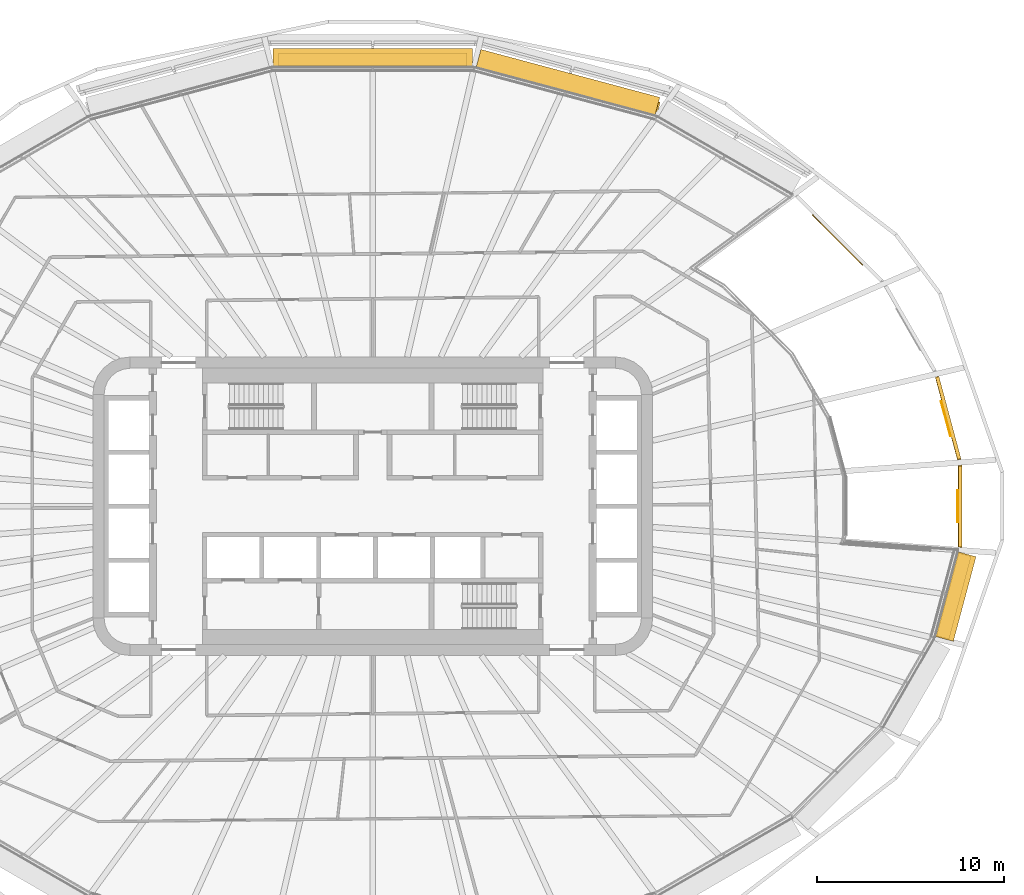
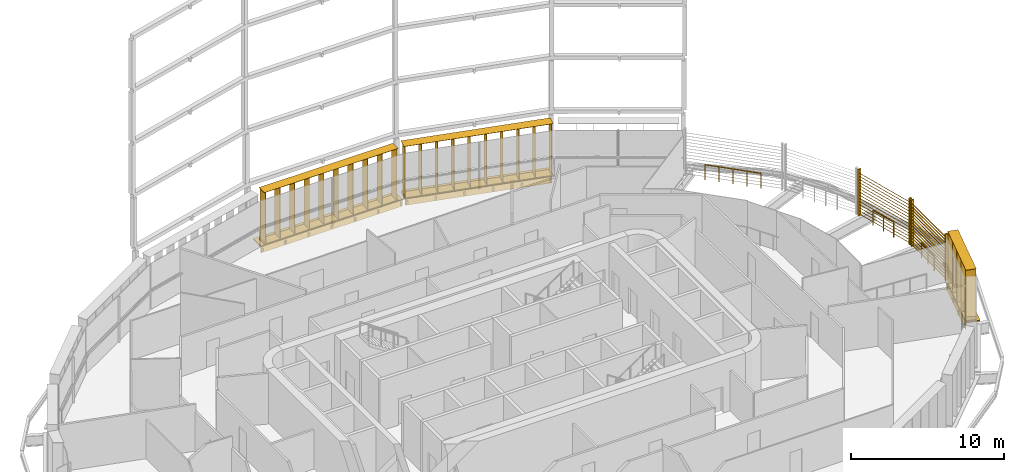
# One storey, part 28 of 28: 8 shading devices, 3 railings.
"""IFC4 building model written with IfcOpenShell, lengths in metres."""

from ifc_helpers import new_model, si_unit, direction, frame, origin, origin_2d, place, context, subcontext, project, spatial, rectangle, circle, extrude, material, type_object, element, save


model = new_model("IFC4")

# Units and contexts
model_context = context("Model", 3, precision=1e-05, world=origin(), true_north=direction((0.0, 1.0)))
body_context = subcontext(model_context, "Body", "Model", "MODEL_VIEW")
ifc_project = project(units=[si_unit("LENGTHUNIT", "METRE"), si_unit("AREAUNIT", "SQUARE_METRE"), si_unit("VOLUMEUNIT", "CUBIC_METRE"), si_unit("PLANEANGLEUNIT", "RADIAN"), si_unit("MASSUNIT", "GRAM", prefix="KILO")], contexts=[model_context])

# Site, building, storey
site_placement = place(None, origin())
site = spatial("IfcSite", under=ifc_project, at=site_placement, CompositionType="ELEMENT")
building_placement = place(site_placement, origin())
building = spatial("IfcBuilding", under=site, at=building_placement, Name="Sahrelin Media Tower", CompositionType="ELEMENT")
storey_placement = place(building_placement, frame((0.0, 0.0, 75.60009765625)))
storey = spatial("IfcBuildingStorey", under=building, at=storey_placement, Name="L13", CompositionType="ELEMENT", Elevation=75.60009765625)

# Shading devices
ifc_material_1 = material(Name="Champagne anodised aluminium 6063-T6", Category="aluminium")
shading_device_type_1 = type_object("IfcShadingDeviceType", Name="Fin cassette", PredefinedType="USERDEFINED", material=ifc_material_1)
placement_1 = place(storey_placement, frame((10.326416015625, 22.214111328125, 0.0), z_axis=(0.0, 0.0, 1.0), x_axis=(0.965928857556, -0.258807731996, 0.0)))
element("IfcShadingDevice", 1, at=placement_1, inside=storey, type_object=shading_device_type_1, Name="L13:FIN:L13-05", ObjectType="FIN", PredefinedType="USERDEFINED", context=body_context, shape_type="SweptSolid", body=[
    extrude(rectangle(XDim=10.10009765625, YDim=0.699951171875, at=origin_2d()), frame((0.0, 0.419921875, 0.0)), (0.0, 0.0, 1.0), 0.02001953125),
    extrude(rectangle(XDim=10.10009765625, YDim=0.699951171875, at=origin_2d()), frame((0.0, 0.419921875, 4.10009765625)), (0.0, 0.0, 1.0), 0.02001953125),
    extrude(rectangle(XDim=0.02001953125, YDim=0.699951171875, at=origin_2d()), frame((-4.949951171875, 0.419921875, 0.010009765625), z_axis=(0.0, 0.0, 1.0), x_axis=(1.0, 0.0, 0.0)), (0.0, 0.0, 1.0), 4.10009765625),
    extrude(rectangle(XDim=0.02001953125, YDim=0.699951171875, at=origin_2d()), frame((-3.85009765625, 0.419921875, 0.010009765625), z_axis=(0.0, 0.0, 1.0), x_axis=(1.0, 0.0, 0.0)), (0.0, 0.0, 1.0), 4.10009765625),
    extrude(rectangle(XDim=0.02001953125, YDim=0.699951171875, at=origin_2d()), frame((-2.75, 0.419921875, 0.010009765625), z_axis=(0.0, 0.0, 1.0), x_axis=(1.0, 0.0, 0.0)), (0.0, 0.0, 1.0), 4.10009765625),
    extrude(rectangle(XDim=0.02001953125, YDim=0.699951171875, at=origin_2d()), frame((-1.64990234375, 0.419921875, 0.010009765625), z_axis=(0.0, 0.0, 1.0), x_axis=(1.0, 0.0, 0.0)), (0.0, 0.0, 1.0), 4.10009765625),
    extrude(rectangle(XDim=0.02001953125, YDim=0.699951171875, at=origin_2d()), frame((-0.550048828125, 0.419921875, 0.010009765625), z_axis=(0.0, 0.0, 1.0), x_axis=(1.0, 0.0, 0.0)), (0.0, 0.0, 1.0), 4.10009765625),
    extrude(rectangle(XDim=0.02001953125, YDim=0.699951171875, at=origin_2d()), frame((0.550048828125, 0.419921875, 0.010009765625), z_axis=(0.0, 0.0, 1.0), x_axis=(1.0, 0.0, 0.0)), (0.0, 0.0, 1.0), 4.10009765625),
    extrude(rectangle(XDim=0.02001953125, YDim=0.699951171875, at=origin_2d()), frame((1.64990234375, 0.419921875, 0.010009765625), z_axis=(0.0, 0.0, 1.0), x_axis=(1.0, 0.0, 0.0)), (0.0, 0.0, 1.0), 4.10009765625),
    extrude(rectangle(XDim=0.02001953125, YDim=0.699951171875, at=origin_2d()), frame((2.75, 0.419921875, 0.010009765625), z_axis=(0.0, 0.0, 1.0), x_axis=(1.0, 0.0, 0.0)), (0.0, 0.0, 1.0), 4.10009765625),
    extrude(rectangle(XDim=0.02001953125, YDim=0.699951171875, at=origin_2d()), frame((3.85009765625, 0.419921875, 0.010009765625), z_axis=(0.0, 0.0, 1.0), x_axis=(1.0, 0.0, 0.0)), (0.0, 0.0, 1.0), 4.10009765625),
    extrude(rectangle(XDim=0.02001953125, YDim=0.699951171875, at=origin_2d()), frame((4.949951171875, 0.419921875, 0.010009765625), z_axis=(0.0, 0.0, 1.0), x_axis=(1.0, 0.0, 0.0)), (0.0, 0.0, 1.0), 4.10009765625),
])
placement_2 = place(storey_placement, frame((0.0, 23.5244140625, 0.0), z_axis=(0.0, 0.0, 1.0), x_axis=(1.0, 0.0, 0.0)))
element("IfcShadingDevice", 2, at=placement_2, inside=storey, type_object=shading_device_type_1, Name="L13:FIN:L13-06", ObjectType="FIN", PredefinedType="USERDEFINED", context=body_context, shape_type="SweptSolid", body=[
    extrude(rectangle(XDim=10.10009765625, YDim=0.699951171875, at=origin_2d()), frame((0.0, 0.419921875, 0.0)), (0.0, 0.0, 1.0), 0.02001953125),
    extrude(rectangle(XDim=10.10009765625, YDim=0.699951171875, at=origin_2d()), frame((0.0, 0.419921875, 4.10009765625)), (0.0, 0.0, 1.0), 0.02001953125),
    extrude(rectangle(XDim=0.02001953125, YDim=0.699951171875, at=origin_2d()), frame((-4.949951171875, 0.419921875, 0.010009765625), z_axis=(0.0, 0.0, 1.0), x_axis=(1.0, 0.0, 0.0)), (0.0, 0.0, 1.0), 4.10009765625),
    extrude(rectangle(XDim=0.02001953125, YDim=0.699951171875, at=origin_2d()), frame((-3.85009765625, 0.419921875, 0.010009765625), z_axis=(0.0, 0.0, 1.0), x_axis=(1.0, 0.0, 0.0)), (0.0, 0.0, 1.0), 4.10009765625),
    extrude(rectangle(XDim=0.02001953125, YDim=0.699951171875, at=origin_2d()), frame((-2.75, 0.419921875, 0.010009765625), z_axis=(0.0, 0.0, 1.0), x_axis=(1.0, 0.0, 0.0)), (0.0, 0.0, 1.0), 4.10009765625),
    extrude(rectangle(XDim=0.02001953125, YDim=0.699951171875, at=origin_2d()), frame((-1.64990234375, 0.419921875, 0.010009765625), z_axis=(0.0, 0.0, 1.0), x_axis=(1.0, 0.0, 0.0)), (0.0, 0.0, 1.0), 4.10009765625),
    extrude(rectangle(XDim=0.02001953125, YDim=0.699951171875, at=origin_2d()), frame((-0.550048828125, 0.419921875, 0.010009765625), z_axis=(0.0, 0.0, 1.0), x_axis=(1.0, 0.0, 0.0)), (0.0, 0.0, 1.0), 4.10009765625),
    extrude(rectangle(XDim=0.02001953125, YDim=0.699951171875, at=origin_2d()), frame((0.550048828125, 0.419921875, 0.010009765625), z_axis=(0.0, 0.0, 1.0), x_axis=(1.0, 0.0, 0.0)), (0.0, 0.0, 1.0), 4.10009765625),
    extrude(rectangle(XDim=0.02001953125, YDim=0.699951171875, at=origin_2d()), frame((1.64990234375, 0.419921875, 0.010009765625), z_axis=(0.0, 0.0, 1.0), x_axis=(1.0, 0.0, 0.0)), (0.0, 0.0, 1.0), 4.10009765625),
    extrude(rectangle(XDim=0.02001953125, YDim=0.699951171875, at=origin_2d()), frame((2.75, 0.419921875, 0.010009765625), z_axis=(0.0, 0.0, 1.0), x_axis=(1.0, 0.0, 0.0)), (0.0, 0.0, 1.0), 4.10009765625),
    extrude(rectangle(XDim=0.02001953125, YDim=0.699951171875, at=origin_2d()), frame((3.85009765625, 0.419921875, 0.010009765625), z_axis=(0.0, 0.0, 1.0), x_axis=(1.0, 0.0, 0.0)), (0.0, 0.0, 1.0), 4.10009765625),
    extrude(rectangle(XDim=0.02001953125, YDim=0.699951171875, at=origin_2d()), frame((4.949951171875, 0.419921875, 0.010009765625), z_axis=(0.0, 0.0, 1.0), x_axis=(1.0, 0.0, 0.0)), (0.0, 0.0, 1.0), 4.10009765625),
])
placement_3 = place(storey_placement, frame((30.737548828125, -4.7041015625, 0.0), z_axis=(0.0, 0.0, 1.0), x_axis=(-0.258807731996, -0.965928857556, 0.0)))
element("IfcShadingDevice", 3, at=placement_3, inside=storey, type_object=shading_device_type_1, Name="L13:FIN:L13-23", ObjectType="FIN", PredefinedType="USERDEFINED", context=body_context, shape_type="SweptSolid", body=[
    extrude(rectangle(XDim=4.60009765625, YDim=0.699951171875, at=origin_2d()), frame((0.0, 0.419921875, 0.0)), (0.0, 0.0, 1.0), 0.02001953125),
    extrude(rectangle(XDim=4.60009765625, YDim=0.699951171875, at=origin_2d()), frame((0.0, 0.419921875, 4.10009765625)), (0.0, 0.0, 1.0), 0.02001953125),
    extrude(rectangle(XDim=0.02001953125, YDim=0.699951171875, at=origin_2d()), frame((-2.199951171875, 0.419921875, 0.010009765625), z_axis=(0.0, 0.0, 1.0), x_axis=(1.0, 0.0, 0.0)), (0.0, 0.0, 1.0), 4.10009765625),
    extrude(rectangle(XDim=0.02001953125, YDim=0.699951171875, at=origin_2d()), frame((-1.10009765625, 0.419921875, 0.010009765625), z_axis=(0.0, 0.0, 1.0), x_axis=(1.0, 0.0, 0.0)), (0.0, 0.0, 1.0), 4.10009765625),
    extrude(rectangle(XDim=0.02001953125, YDim=0.699951171875, at=origin_2d()), frame((0.0, 0.419921875, 0.010009765625), z_axis=(0.0, 0.0, 1.0), x_axis=(1.0, 0.0, 0.0)), (0.0, 0.0, 1.0), 4.10009765625),
    extrude(rectangle(XDim=0.02001953125, YDim=0.699951171875, at=origin_2d()), frame((1.10009765625, 0.419921875, 0.010009765625), z_axis=(0.0, 0.0, 1.0), x_axis=(1.0, 0.0, 0.0)), (0.0, 0.0, 1.0), 4.10009765625),
    extrude(rectangle(XDim=0.02001953125, YDim=0.699951171875, at=origin_2d()), frame((2.199951171875, 0.419921875, 0.010009765625), z_axis=(0.0, 0.0, 1.0), x_axis=(1.0, 0.0, 0.0)), (0.0, 0.0, 1.0), 4.10009765625),
])
shading_device_type_2 = type_object("IfcShadingDeviceType", Name="Garden screen", PredefinedType="USERDEFINED", material=ifc_material_1)
shading_device_4_placement = place(storey_placement, frame((31.37109375, 0.0, 0.0), z_axis=(0.0, 0.0, 1.0), x_axis=(0.0, -1.0, 0.0)))
element("IfcShadingDevice", 4, at=shading_device_4_placement, inside=storey, type_object=shading_device_type_2, Name="L13:SCREEN:L13-00", ObjectType="SCREEN", PredefinedType="USERDEFINED", context=body_context, shape_type="SweptSolid", body=[
    extrude(rectangle(XDim=0.1201171875, YDim=0.199951171875, at=origin_2d()), frame((2.22998046875, 0.10009765625, 0.050048828125), z_axis=(0.0, 0.0, 1.0), x_axis=(1.0, 0.0, 0.0)), (0.0, 0.0, 1.0), 3.698486328125),
    extrude(rectangle(XDim=0.1201171875, YDim=0.199951171875, at=origin_2d()), frame((-2.22998046875, 0.10009765625, 0.050048828125), z_axis=(0.0, 0.0, 1.0), x_axis=(1.0, 0.0, 0.0)), (0.0, 0.0, 1.0), 3.698486328125),
    extrude(rectangle(XDim=0.25, YDim=0.02001953125, at=origin_2d()), frame((2.169921875, 0.10009765625, 0.14990234375), z_axis=(-1.0, 0.0, 0.0), x_axis=(0.0, -0.766044443119, 0.642787609687)), (0.0, 0.0, 1.0), 4.33984375),
    extrude(rectangle(XDim=0.25, YDim=0.02001953125, at=origin_2d()), frame((2.169921875, 0.10009765625, 0.39990234375), z_axis=(-1.0, 0.0, 0.0), x_axis=(0.0, -0.766044443119, 0.642787609687)), (0.0, 0.0, 1.0), 4.33984375),
    extrude(rectangle(XDim=0.25, YDim=0.02001953125, at=origin_2d()), frame((2.169921875, 0.10009765625, 0.64990234375), z_axis=(-1.0, 0.0, 0.0), x_axis=(0.0, -0.766044443119, 0.642787609687)), (0.0, 0.0, 1.0), 4.33984375),
    extrude(rectangle(XDim=0.25, YDim=0.02001953125, at=origin_2d()), frame((2.169921875, 0.10009765625, 0.89990234375), z_axis=(-1.0, 0.0, 0.0), x_axis=(0.0, -0.766044443119, 0.642787609687)), (0.0, 0.0, 1.0), 4.33984375),
    extrude(rectangle(XDim=0.25, YDim=0.02001953125, at=origin_2d()), frame((2.169921875, 0.10009765625, 1.14990234375), z_axis=(-1.0, 0.0, 0.0), x_axis=(0.0, -0.766044443119, 0.642787609687)), (0.0, 0.0, 1.0), 4.33984375),
    extrude(rectangle(XDim=0.25, YDim=0.02001953125, at=origin_2d()), frame((2.169921875, 0.10009765625, 1.39990234375), z_axis=(-1.0, 0.0, 0.0), x_axis=(0.0, -0.766044443119, 0.642787609687)), (0.0, 0.0, 1.0), 4.33984375),
    extrude(rectangle(XDim=0.25, YDim=0.02001953125, at=origin_2d()), frame((2.169921875, 0.10009765625, 1.64990234375), z_axis=(-1.0, 0.0, 0.0), x_axis=(0.0, -0.766044443119, 0.642787609687)), (0.0, 0.0, 1.0), 4.33984375),
    extrude(rectangle(XDim=0.25, YDim=0.02001953125, at=origin_2d()), frame((2.169921875, 0.10009765625, 1.89990234375), z_axis=(-1.0, 0.0, 0.0), x_axis=(0.0, -0.766044443119, 0.642787609687)), (0.0, 0.0, 1.0), 4.33984375),
    extrude(rectangle(XDim=0.25, YDim=0.02001953125, at=origin_2d()), frame((2.169921875, 0.10009765625, 2.14990234375), z_axis=(-1.0, 0.0, 0.0), x_axis=(0.0, -0.766044443119, 0.642787609687)), (0.0, 0.0, 1.0), 4.33984375),
    extrude(rectangle(XDim=0.25, YDim=0.02001953125, at=origin_2d()), frame((2.169921875, 0.10009765625, 2.39990234375), z_axis=(-1.0, 0.0, 0.0), x_axis=(0.0, -0.766044443119, 0.642787609687)), (0.0, 0.0, 1.0), 4.33984375),
    extrude(rectangle(XDim=0.25, YDim=0.02001953125, at=origin_2d()), frame((2.169921875, 0.10009765625, 2.64990234375), z_axis=(-1.0, 0.0, 0.0), x_axis=(0.0, -0.766044443119, 0.642787609687)), (0.0, 0.0, 1.0), 4.33984375),
    extrude(rectangle(XDim=0.25, YDim=0.02001953125, at=origin_2d()), frame((2.169921875, 0.10009765625, 2.89990234375), z_axis=(-1.0, 0.0, 0.0), x_axis=(0.0, -0.766044443119, 0.642787609687)), (0.0, 0.0, 1.0), 4.33984375),
    extrude(rectangle(XDim=0.25, YDim=0.02001953125, at=origin_2d()), frame((2.169921875, 0.10009765625, 3.14990234375), z_axis=(-1.0, 0.0, 0.0), x_axis=(0.0, -0.766044443119, 0.642787609687)), (0.0, 0.0, 1.0), 4.33984375),
    extrude(rectangle(XDim=0.25, YDim=0.02001953125, at=origin_2d()), frame((2.169921875, 0.10009765625, 3.39990234375), z_axis=(-1.0, 0.0, 0.0), x_axis=(0.0, -0.766044443119, 0.642787609687)), (0.0, 0.0, 1.0), 4.33984375),
])
shading_device_5_placement = place(storey_placement, frame((30.737548828125, 4.7041015625, 0.0), z_axis=(0.0, 0.0, 1.0), x_axis=(0.258807731996, -0.965928857556, 0.0)))
element("IfcShadingDevice", 5, at=shading_device_5_placement, inside=storey, type_object=shading_device_type_2, Name="L13:SCREEN:L13-01", ObjectType="SCREEN", PredefinedType="USERDEFINED", context=body_context, shape_type="SweptSolid", body=[
    extrude(rectangle(XDim=0.1201171875, YDim=0.199951171875, at=origin_2d()), frame((2.33740234375, 0.10009765625, 0.050048828125), z_axis=(0.0, 0.0, 1.0), x_axis=(1.0, 0.0, 0.0)), (0.0, 0.0, 1.0), 3.698486328125),
    extrude(rectangle(XDim=0.1201171875, YDim=0.199951171875, at=origin_2d()), frame((-2.33740234375, 0.10009765625, 0.050048828125), z_axis=(0.0, 0.0, 1.0), x_axis=(1.0, 0.0, 0.0)), (0.0, 0.0, 1.0), 3.698486328125),
    extrude(rectangle(XDim=0.25, YDim=0.02001953125, at=origin_2d()), frame((2.27734375, 0.10009765625, 0.14990234375), z_axis=(-1.0, 0.0, 0.0), x_axis=(0.0, -0.766044443119, 0.642787609687)), (0.0, 0.0, 1.0), 4.5546875),
    extrude(rectangle(XDim=0.25, YDim=0.02001953125, at=origin_2d()), frame((2.27734375, 0.10009765625, 0.39990234375), z_axis=(-1.0, 0.0, 0.0), x_axis=(0.0, -0.766044443119, 0.642787609687)), (0.0, 0.0, 1.0), 4.5546875),
    extrude(rectangle(XDim=0.25, YDim=0.02001953125, at=origin_2d()), frame((2.27734375, 0.10009765625, 0.64990234375), z_axis=(-1.0, 0.0, 0.0), x_axis=(0.0, -0.766044443119, 0.642787609687)), (0.0, 0.0, 1.0), 4.5546875),
    extrude(rectangle(XDim=0.25, YDim=0.02001953125, at=origin_2d()), frame((2.27734375, 0.10009765625, 0.89990234375), z_axis=(-1.0, 0.0, 0.0), x_axis=(0.0, -0.766044443119, 0.642787609687)), (0.0, 0.0, 1.0), 4.5546875),
    extrude(rectangle(XDim=0.25, YDim=0.02001953125, at=origin_2d()), frame((2.27734375, 0.10009765625, 1.14990234375), z_axis=(-1.0, 0.0, 0.0), x_axis=(0.0, -0.766044443119, 0.642787609687)), (0.0, 0.0, 1.0), 4.5546875),
    extrude(rectangle(XDim=0.25, YDim=0.02001953125, at=origin_2d()), frame((2.27734375, 0.10009765625, 1.39990234375), z_axis=(-1.0, 0.0, 0.0), x_axis=(0.0, -0.766044443119, 0.642787609687)), (0.0, 0.0, 1.0), 4.5546875),
    extrude(rectangle(XDim=0.25, YDim=0.02001953125, at=origin_2d()), frame((2.27734375, 0.10009765625, 1.64990234375), z_axis=(-1.0, 0.0, 0.0), x_axis=(0.0, -0.766044443119, 0.642787609687)), (0.0, 0.0, 1.0), 4.5546875),
    extrude(rectangle(XDim=0.25, YDim=0.02001953125, at=origin_2d()), frame((2.27734375, 0.10009765625, 1.89990234375), z_axis=(-1.0, 0.0, 0.0), x_axis=(0.0, -0.766044443119, 0.642787609687)), (0.0, 0.0, 1.0), 4.5546875),
    extrude(rectangle(XDim=0.25, YDim=0.02001953125, at=origin_2d()), frame((2.27734375, 0.10009765625, 2.14990234375), z_axis=(-1.0, 0.0, 0.0), x_axis=(0.0, -0.766044443119, 0.642787609687)), (0.0, 0.0, 1.0), 4.5546875),
    extrude(rectangle(XDim=0.25, YDim=0.02001953125, at=origin_2d()), frame((2.27734375, 0.10009765625, 2.39990234375), z_axis=(-1.0, 0.0, 0.0), x_axis=(0.0, -0.766044443119, 0.642787609687)), (0.0, 0.0, 1.0), 4.5546875),
    extrude(rectangle(XDim=0.25, YDim=0.02001953125, at=origin_2d()), frame((2.27734375, 0.10009765625, 2.64990234375), z_axis=(-1.0, 0.0, 0.0), x_axis=(0.0, -0.766044443119, 0.642787609687)), (0.0, 0.0, 1.0), 4.5546875),
    extrude(rectangle(XDim=0.25, YDim=0.02001953125, at=origin_2d()), frame((2.27734375, 0.10009765625, 2.89990234375), z_axis=(-1.0, 0.0, 0.0), x_axis=(0.0, -0.766044443119, 0.642787609687)), (0.0, 0.0, 1.0), 4.5546875),
    extrude(rectangle(XDim=0.25, YDim=0.02001953125, at=origin_2d()), frame((2.27734375, 0.10009765625, 3.14990234375), z_axis=(-1.0, 0.0, 0.0), x_axis=(0.0, -0.766044443119, 0.642787609687)), (0.0, 0.0, 1.0), 4.5546875),
    extrude(rectangle(XDim=0.25, YDim=0.02001953125, at=origin_2d()), frame((2.27734375, 0.10009765625, 3.39990234375), z_axis=(-1.0, 0.0, 0.0), x_axis=(0.0, -0.766044443119, 0.642787609687)), (0.0, 0.0, 1.0), 4.5546875),
])

# Railings
ifc_material_2 = material(Name="Stainless steel 316", Category="steel")
railing_type = type_object("IfcRailingType", Name="Sky garden guard", PredefinedType="GUARDRAIL", material=ifc_material_2)
railing_1_placement = place(storey_placement, frame((23.5732421875, 15.606201171875, 0.0)))
element("IfcRailing", 6, at=railing_1_placement, inside=storey, type_object=railing_type, Name="Sky garden void guard G1-2", PredefinedType="GUARDRAIL", context=body_context, shape_type="SweptSolid", body=[
    extrude(circle(Radius=0.02392578125, at=origin_2d()), frame((0.0, 0.0, 1.17578125), z_axis=(0.707106781187, -0.707106781187, 0.0), x_axis=(0.707106781187, 0.707106781187, 0.0)), (0.0, 0.0, 1.0), 3.776123046875),
    extrude(circle(Radius=0.02099609375, at=origin_2d()), origin(), (0.0, 0.0, 1.0), 1.15185546875),
    extrude(circle(Radius=0.02099609375, at=origin_2d()), frame((0.66748046875, -0.66748046875, 0.0)), (0.0, 0.0, 1.0), 1.15185546875),
    extrude(circle(Radius=0.02099609375, at=origin_2d()), frame((1.3349609375, -1.3349609375, 0.0)), (0.0, 0.0, 1.0), 1.15185546875),
    extrude(circle(Radius=0.02099609375, at=origin_2d()), frame((2.002685546875, -2.002685546875, 0.0)), (0.0, 0.0, 1.0), 1.15185546875),
    extrude(circle(Radius=0.02099609375, at=origin_2d()), frame((2.670166015625, -2.670166015625, 0.0)), (0.0, 0.0, 1.0), 1.15185546875),
])
railing_2_placement = place(storey_placement, frame((30.468994140625, 5.618896484375, 0.0)))
element("IfcRailing", 7, at=railing_2_placement, inside=storey, type_object=railing_type, Name="Sky garden void guard G1-4", PredefinedType="GUARDRAIL", context=body_context, shape_type="SweptSolid", body=[
    extrude(circle(Radius=0.02392578125, at=origin_2d()), frame((0.0, 0.0, 1.17578125), z_axis=(0.25888107057, -0.965909204481, 0.0), x_axis=(0.965909204481, 0.25888107057, 0.0)), (0.0, 0.0, 1.0), 1.90771484375),
    extrude(circle(Radius=0.02099609375, at=origin_2d()), origin(), (0.0, 0.0, 1.0), 1.15185546875),
    extrude(circle(Radius=0.02099609375, at=origin_2d()), frame((0.2470703125, -0.92138671875, 0.0)), (0.0, 0.0, 1.0), 1.15185546875),
    extrude(circle(Radius=0.02099609375, at=origin_2d()), frame((0.493896484375, -1.8427734375, 0.0)), (0.0, 0.0, 1.0), 1.15185546875),
])
railing_3_placement = place(storey_placement, frame((31.348388671875, 0.84228515625, 0.0)))
element("IfcRailing", 8, at=railing_3_placement, inside=storey, type_object=railing_type, Name="Sky garden void guard G1-5", PredefinedType="GUARDRAIL", context=body_context, shape_type="SweptSolid", body=[
    extrude(circle(Radius=0.02392578125, at=origin_2d()), frame((0.0, 0.0, 1.17578125), z_axis=(0.0, -1.0, 0.0), x_axis=(1.0, 0.0, 0.0)), (0.0, 0.0, 1.0), 1.6845703125),
    extrude(circle(Radius=0.02099609375, at=origin_2d()), origin(), (0.0, 0.0, 1.0), 1.15185546875),
    extrude(circle(Radius=0.02099609375, at=origin_2d()), frame((0.0, -0.84228515625, 0.0)), (0.0, 0.0, 1.0), 1.15185546875),
    extrude(circle(Radius=0.02099609375, at=origin_2d()), frame((0.0, -1.6845703125, 0.0)), (0.0, 0.0, 1.0), 1.15185546875),
])

# Shading devices
shading_device_type_3 = type_object("IfcShadingDeviceType", Name="Sunshade band", PredefinedType="USERDEFINED", material=ifc_material_1)
element("IfcShadingDevice", 9, at=placement_1, inside=storey, type_object=shading_device_type_3, Name="L13:SUN:L13-05", ObjectType="SUNSHADE", PredefinedType="USERDEFINED", context=body_context, shape_type="SweptSolid", body=[
    extrude(rectangle(XDim=9.925048828125, YDim=0.050048828125, at=origin_2d()), frame((0.0, 0.044921875, -0.55126953125)), (0.0, 0.0, 1.0), 0.471435546875),
    extrude(rectangle(XDim=9.925048828125, YDim=1.0, at=origin_2d()), frame((0.0, 0.52001953125, -0.080078125)), (0.0, 0.0, 1.0), 0.080078125),
    extrude(rectangle(XDim=0.10009765625, YDim=0.074951171875, at=origin_2d()), frame((-4.862548828125, -0.017578125, -0.47021484375)), (0.0, 0.0, 1.0), 0.300048828125),
    extrude(rectangle(XDim=0.10009765625, YDim=0.074951171875, at=origin_2d()), frame((-2.91748046875, -0.017578125, -0.47021484375)), (0.0, 0.0, 1.0), 0.300048828125),
    extrude(rectangle(XDim=0.10009765625, YDim=0.074951171875, at=origin_2d()), frame((-0.972412109375, -0.017578125, -0.47021484375)), (0.0, 0.0, 1.0), 0.300048828125),
    extrude(rectangle(XDim=0.10009765625, YDim=0.074951171875, at=origin_2d()), frame((0.972412109375, -0.017578125, -0.47021484375)), (0.0, 0.0, 1.0), 0.300048828125),
    extrude(rectangle(XDim=0.10009765625, YDim=0.074951171875, at=origin_2d()), frame((2.91748046875, -0.017578125, -0.47021484375)), (0.0, 0.0, 1.0), 0.300048828125),
    extrude(rectangle(XDim=0.10009765625, YDim=0.074951171875, at=origin_2d()), frame((4.862548828125, -0.017578125, -0.47021484375)), (0.0, 0.0, 1.0), 0.300048828125),
])
element("IfcShadingDevice", 10, at=placement_2, inside=storey, type_object=shading_device_type_3, Name="L13:SUN:L13-06", ObjectType="SUNSHADE", PredefinedType="USERDEFINED", context=body_context, shape_type="SweptSolid", body=[
    extrude(rectangle(XDim=10.673095703125, YDim=0.050048828125, at=origin_2d()), frame((0.0, 0.044921875, -0.55126953125)), (0.0, 0.0, 1.0), 0.471435546875),
    extrude(rectangle(XDim=10.673095703125, YDim=1.0, at=origin_2d()), frame((0.0, 0.52001953125, -0.080078125)), (0.0, 0.0, 1.0), 0.080078125),
    extrude(rectangle(XDim=0.10009765625, YDim=0.074951171875, at=origin_2d()), frame((-5.236572265625, -0.017578125, -0.47021484375)), (0.0, 0.0, 1.0), 0.300048828125),
    extrude(rectangle(XDim=0.10009765625, YDim=0.074951171875, at=origin_2d()), frame((-3.490966796875, -0.017578125, -0.47021484375)), (0.0, 0.0, 1.0), 0.300048828125),
    extrude(rectangle(XDim=0.10009765625, YDim=0.074951171875, at=origin_2d()), frame((-1.74560546875, -0.017578125, -0.47021484375)), (0.0, 0.0, 1.0), 0.300048828125),
    extrude(rectangle(XDim=0.10009765625, YDim=0.074951171875, at=origin_2d()), frame((0.0, -0.017578125, -0.47021484375)), (0.0, 0.0, 1.0), 0.300048828125),
    extrude(rectangle(XDim=0.10009765625, YDim=0.074951171875, at=origin_2d()), frame((1.74560546875, -0.017578125, -0.47021484375)), (0.0, 0.0, 1.0), 0.300048828125),
    extrude(rectangle(XDim=0.10009765625, YDim=0.074951171875, at=origin_2d()), frame((3.490966796875, -0.017578125, -0.47021484375)), (0.0, 0.0, 1.0), 0.300048828125),
    extrude(rectangle(XDim=0.10009765625, YDim=0.074951171875, at=origin_2d()), frame((5.236572265625, -0.017578125, -0.47021484375)), (0.0, 0.0, 1.0), 0.300048828125),
])
element("IfcShadingDevice", 11, at=placement_3, inside=storey, type_object=shading_device_type_3, Name="L13:SUN:L13-23", ObjectType="SUNSHADE", PredefinedType="USERDEFINED", context=body_context, shape_type="SweptSolid", body=[
    extrude(rectangle(XDim=4.69482421875, YDim=0.050048828125, at=origin_2d()), frame((0.0, 0.044921875, -0.55126953125)), (0.0, 0.0, 1.0), 0.471435546875),
    extrude(rectangle(XDim=4.69482421875, YDim=1.0, at=origin_2d()), frame((0.0, 0.52001953125, -0.080078125)), (0.0, 0.0, 1.0), 0.080078125),
    extrude(rectangle(XDim=0.10009765625, YDim=0.074951171875, at=origin_2d()), frame((-2.247314453125, -0.017578125, -0.47021484375)), (0.0, 0.0, 1.0), 0.300048828125),
    extrude(rectangle(XDim=0.10009765625, YDim=0.074951171875, at=origin_2d()), frame((-0.7490234375, -0.017578125, -0.47021484375)), (0.0, 0.0, 1.0), 0.300048828125),
    extrude(rectangle(XDim=0.10009765625, YDim=0.074951171875, at=origin_2d()), frame((0.7490234375, -0.017578125, -0.47021484375)), (0.0, 0.0, 1.0), 0.300048828125),
    extrude(rectangle(XDim=0.10009765625, YDim=0.074951171875, at=origin_2d()), frame((2.247314453125, -0.017578125, -0.47021484375)), (0.0, 0.0, 1.0), 0.300048828125),
])

save(model, "model.ifc")
